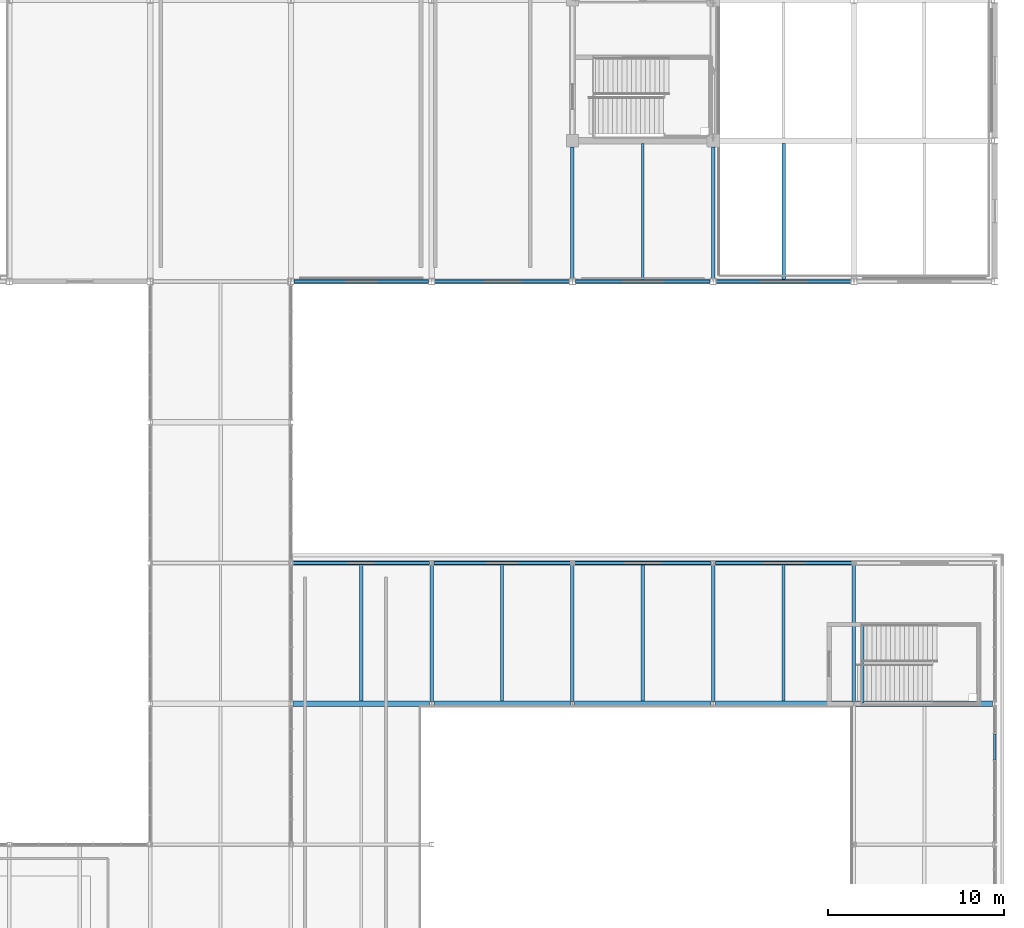
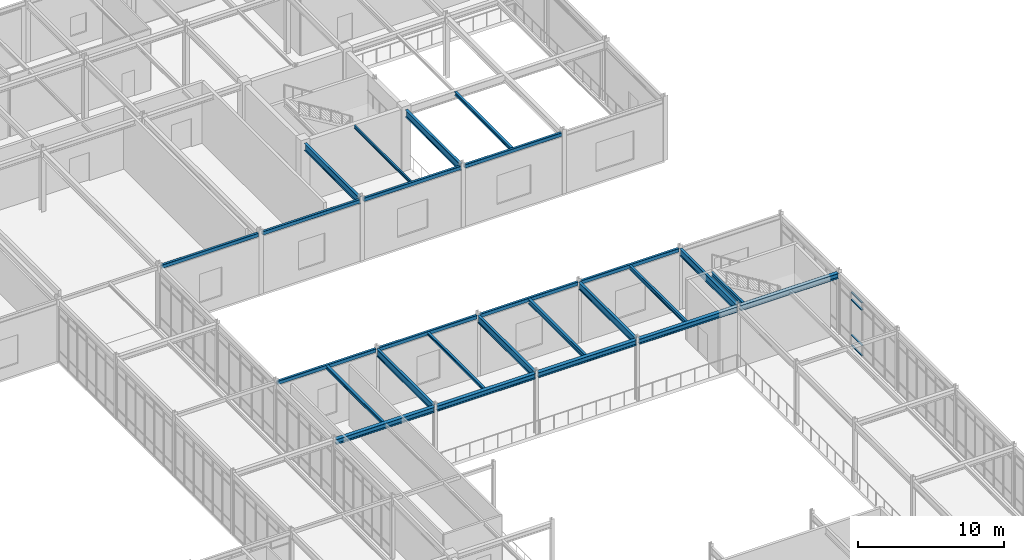
# One storey, part 78 of 184: 26 beams, 4 members, 1 element without a shape of its own.
"""IFC4 building model written with IfcOpenShell, lengths in metres."""

from ifc_helpers import new_model, si_unit, direction, frame, origin, origin_2d, place, context, subcontext, project, spatial, rectangle, hollow_rectangle, i_section, extrude, material, material_profile, profile_set, type_object, element, aggregate, save


model = new_model("IFC4")

# Units and contexts
model_context = context("Model", 3, precision=1e-05, world=origin(), true_north=direction((0.0, 1.0)))
body_context = subcontext(model_context, "Body", "Model", "MODEL_VIEW")
ifc_project = project(units=[si_unit("LENGTHUNIT", "METRE"), si_unit("AREAUNIT", "SQUARE_METRE"), si_unit("VOLUMEUNIT", "CUBIC_METRE"), si_unit("PLANEANGLEUNIT", "RADIAN"), si_unit("MASSUNIT", "GRAM", prefix="KILO")], contexts=[model_context])

# Site, building, storey
site_placement = place(None, origin())
site = spatial("IfcSite", under=ifc_project, at=site_placement, CompositionType="ELEMENT")
building_placement = place(site_placement, origin())
building = spatial("IfcBuilding", under=site, at=building_placement, Name="Zhaolan Boulevard Law Courts", CompositionType="ELEMENT")
storey_placement = place(building_placement, frame((0.0, 0.0, 5.39990234375)))
storey = spatial("IfcBuildingStorey", under=building, at=storey_placement, Name="L01", CompositionType="ELEMENT", Elevation=5.39990234375)

# Curtain wall, members
ifc_material_1 = material(Name="Thermally broken aluminium and low-E glazing", Category="aluminium")
curtain_wall_type = type_object("IfcCurtainWallType", Name="CURTAIN WALL M16", PredefinedType="USERDEFINED", material=ifc_material_1)
curtain_wall_placement = place(storey_placement, origin())
curtain_wall = element("IfcCurtainWall", 1, at=curtain_wall_placement, inside=storey, type_object=curtain_wall_type, Name="Curtain Wall CW-L01-064", ObjectType="CURTAIN WALL", PredefinedType="USERDEFINED")
ifc_material_2 = material(Name="Fluorocarbon-coated aluminium 6063-T6", Category="aluminium")
ifc_material_profile_1 = material_profile(ifc_material_2, rectangle(XDim=0.139892578125, YDim=0.06494140625, at=origin_2d()), Name="AL65x140")
ifc_profile_set_1 = profile_set([ifc_material_profile_1], Name="Fluorocarbon-coated aluminium 6063-T6")
member_type = type_object("IfcMemberType", Name="CWTRANSOM 65X140", PredefinedType="USERDEFINED", material=ifc_profile_set_1)
member_1_placement = place(storey_placement, frame((164.0, 34.80712890625, 0.03271484375), z_axis=(0.0, 1.0, 0.0), x_axis=(-1.0, 0.0, 0.0)))
member_1 = element("IfcMember", 2, at=member_1_placement, type_object=member_type, Name="CW-L01-064 transom 4.1", ObjectType="TRANSOM", PredefinedType="USERDEFINED", context=body_context, shape_type="SweptSolid", body=[
    extrude(rectangle(XDim=0.139892578125, YDim=0.06494140625, at=origin_2d()), origin(), (0.0, 0.0, 1.0), 1.484130859375),
])
member_2_placement = place(storey_placement, frame((164.0, 34.80712890625, 0.900146484375), z_axis=(0.0, 1.0, 0.0), x_axis=(-1.0, 0.0, 0.0)))
member_2 = element("IfcMember", 3, at=member_2_placement, type_object=member_type, Name="CW-L01-064 transom 4.2", ObjectType="TRANSOM", PredefinedType="USERDEFINED", context=body_context, shape_type="SweptSolid", body=[
    extrude(rectangle(XDim=0.139892578125, YDim=0.06494140625, at=origin_2d()), origin(), (0.0, 0.0, 1.0), 1.484130859375),
])
member_3_placement = place(storey_placement, frame((164.0, 34.80712890625, 3.85302734375), z_axis=(0.0, 1.0, 0.0), x_axis=(-1.0, 0.0, 0.0)))
member_3 = element("IfcMember", 4, at=member_3_placement, type_object=member_type, Name="CW-L01-064 transom 4.3", ObjectType="TRANSOM", PredefinedType="USERDEFINED", context=body_context, shape_type="SweptSolid", body=[
    extrude(rectangle(XDim=0.139892578125, YDim=0.06494140625, at=origin_2d()), origin(), (0.0, 0.0, 1.0), 1.484130859375),
])
member_4_placement = place(storey_placement, frame((164.0, 34.80712890625, 4.470703125), z_axis=(0.0, 1.0, 0.0), x_axis=(-1.0, 0.0, 0.0)))
member_4 = element("IfcMember", 5, at=member_4_placement, type_object=member_type, Name="CW-L01-064 transom 4.4", ObjectType="TRANSOM", PredefinedType="USERDEFINED", context=body_context, shape_type="SweptSolid", body=[
    extrude(rectangle(XDim=0.139892578125, YDim=0.06494140625, at=origin_2d()), origin(), (0.0, 0.0, 1.0), 1.484130859375),
])
aggregate(curtain_wall, [member_1, member_2, member_3, member_4])

# Beams
ifc_material_3 = material(Name="Structural steel Q355B", Category="steel")
ifc_material_profile_2 = material_profile(ifc_material_3, i_section(OverallWidth=0.300048828125, OverallDepth=0.43994140625, WebThickness=0.010986328125, FlangeThickness=0.01806640625, FilletRadius=0.02001953125, at=origin_2d()), Name="HM440x300")
ifc_profile_set_2 = profile_set([ifc_material_profile_2], Name="Structural steel Q355B")
beam_type_1 = type_object("IfcBeamType", Name="GIRDER HM440", PredefinedType="BEAM", material=ifc_profile_set_2)
for number, where, z_axis, x_axis, name in (
    (6, (124.12109375, 38.0, 4.898193359375), (1.0, 0.0, 0.0), (0.0, 1.0, 0.0), "Beam BX-L02-16-17-F"),
    (7, (132.12109375, 38.0, 4.898193359375), (1.0, 0.0, 0.0), (0.0, 1.0, 0.0), "Beam BX-L02-17-18-F"),
    (8, (140.12109375, 38.0, 4.898193359375), (1.0, 0.0, 0.0), (0.0, 1.0, 0.0), "Beam BX-L02-18-19-F"),
    (9, (148.12109375, 38.0, 4.898193359375), (1.0, 0.0, 0.0), (0.0, 1.0, 0.0), "Beam BX-L02-19-20-F"),
    (10, (156.12109375, 38.0, 4.898193359375), (1.0, 0.0, 0.0), (0.0, 1.0, 0.0), "Beam BX-L02-20-21-F"),
):
    element("IfcBeam", number, at=place(storey_placement, frame(where, z_axis=z_axis, x_axis=x_axis)), inside=storey, type_object=beam_type_1, Name=name, PredefinedType="BEAM", context=body_context, shape_type="SweptSolid", body=[
        extrude(i_section(OverallWidth=0.300048828125, OverallDepth=0.43994140625, WebThickness=0.010986328125, FlangeThickness=0.01806640625, FilletRadius=0.02001953125, at=origin_2d()), origin(), (0.0, 0.0, 1.0), 7.7578125),
    ])
ifc_material_4 = material(Name="Structural steel Q355B", Category="steel")
ifc_material_profile_3 = material_profile(ifc_material_4, i_section(OverallWidth=0.199951171875, OverallDepth=0.60009765625, WebThickness=0.010986328125, FlangeThickness=0.01708984375, FilletRadius=0.02001953125, at=origin_2d()), Name="HN600x200")
ifc_profile_set_3 = profile_set([ifc_material_profile_3], Name="Structural steel Q355B")
beam_type_2 = type_object("IfcBeamType", Name="GIRDER HN600", PredefinedType="BEAM", material=ifc_profile_set_3)
for number, where, z_axis, x_axis, name in (
    (11, (132.0, 38.12109375, 4.818115234375), (0.0, 1.0, 0.0), (-1.0, 0.0, 0.0), "Beam BY-L02-17-F-G"),
    (12, (140.0, 38.12109375, 4.818115234375), (0.0, 1.0, 0.0), (-1.0, 0.0, 0.0), "Beam BY-L02-18-F-G"),
):
    element("IfcBeam", number, at=place(storey_placement, frame(where, z_axis=z_axis, x_axis=x_axis)), inside=storey, type_object=beam_type_2, Name=name, PredefinedType="BEAM", context=body_context, shape_type="SweptSolid", body=[
        extrude(i_section(OverallWidth=0.199951171875, OverallDepth=0.60009765625, WebThickness=0.010986328125, FlangeThickness=0.01708984375, FilletRadius=0.02001953125, at=origin_2d()), origin(), (0.0, 0.0, 1.0), 7.7578125),
    ])
beam_1_placement = place(storey_placement, frame((140.0, 62.1708984375, 4.818115234375), z_axis=(0.0, 1.0, 0.0), x_axis=(-1.0, 0.0, 0.0)))
element("IfcBeam", 13, at=beam_1_placement, inside=storey, type_object=beam_type_2, Name="Beam BY-L02-18-J-K", PredefinedType="BEAM", context=body_context, shape_type="SweptSolid", body=[
    extrude(i_section(OverallWidth=0.199951171875, OverallDepth=0.60009765625, WebThickness=0.010986328125, FlangeThickness=0.01708984375, FilletRadius=0.02001953125, at=origin_2d()), origin(), (0.0, 0.0, 1.0), 7.483154296875),
])
beam_2_placement = place(storey_placement, frame((148.0, 38.12109375, 4.818115234375), z_axis=(0.0, 1.0, 0.0), x_axis=(-1.0, 0.0, 0.0)))
element("IfcBeam", 14, at=beam_2_placement, inside=storey, type_object=beam_type_2, Name="Beam BY-L02-19-F-G", PredefinedType="BEAM", context=body_context, shape_type="SweptSolid", body=[
    extrude(i_section(OverallWidth=0.199951171875, OverallDepth=0.60009765625, WebThickness=0.010986328125, FlangeThickness=0.01708984375, FilletRadius=0.02001953125, at=origin_2d()), origin(), (0.0, 0.0, 1.0), 7.7578125),
])
beam_3_placement = place(storey_placement, frame((148.0, 62.1708984375, 4.818115234375), z_axis=(0.0, 1.0, 0.0), x_axis=(-1.0, 0.0, 0.0)))
element("IfcBeam", 15, at=beam_3_placement, inside=storey, type_object=beam_type_2, Name="Beam BY-L02-19-J-K", PredefinedType="BEAM", context=body_context, shape_type="SweptSolid", body=[
    extrude(i_section(OverallWidth=0.199951171875, OverallDepth=0.60009765625, WebThickness=0.010986328125, FlangeThickness=0.01708984375, FilletRadius=0.02001953125, at=origin_2d()), origin(), (0.0, 0.0, 1.0), 7.483154296875),
])
beam_4_placement = place(storey_placement, frame((156.0, 38.12109375, 4.818115234375), z_axis=(0.0, 1.0, 0.0), x_axis=(-1.0, 0.0, 0.0)))
element("IfcBeam", 16, at=beam_4_placement, inside=storey, type_object=beam_type_2, Name="Beam BY-L02-20-F-G", PredefinedType="BEAM", context=body_context, shape_type="SweptSolid", body=[
    extrude(i_section(OverallWidth=0.199951171875, OverallDepth=0.60009765625, WebThickness=0.010986328125, FlangeThickness=0.01708984375, FilletRadius=0.02001953125, at=origin_2d()), origin(), (0.0, 0.0, 1.0), 7.7578125),
])
ifc_material_5 = material(Name="Structural steel Q355B", Category="steel")
ifc_material_profile_4 = material_profile(ifc_material_5, i_section(OverallWidth=0.175048828125, OverallDepth=0.243896484375, WebThickness=0.007080078125, FlangeThickness=0.010986328125, FilletRadius=0.012939453125, at=origin_2d()), Name="HM244x175")
ifc_profile_set_4 = profile_set([ifc_material_profile_4], Name="Structural steel Q355B")
beam_type_3 = type_object("IfcBeamType", Name="JOIST HM244", PredefinedType="JOIST", material=ifc_profile_set_4)
beam_5_placement = place(storey_placement, frame((136.0, 38.14599609375, 4.99609375), z_axis=(0.0, 1.0, 0.0), x_axis=(-1.0, 0.0, 0.0)))
element("IfcBeam", 17, at=beam_5_placement, inside=storey, type_object=beam_type_3, Name="Composite Joist J-L02-17F", PredefinedType="JOIST", context=body_context, shape_type="SweptSolid", body=[
    extrude(i_section(OverallWidth=0.175048828125, OverallDepth=0.243896484375, WebThickness=0.007080078125, FlangeThickness=0.010986328125, FilletRadius=0.012939453125, at=origin_2d()), origin(), (0.0, 0.0, 1.0), 7.758056640625),
])
ifc_material_6 = material(Name="Structural steel Q355B", Category="steel")
ifc_material_profile_5 = material_profile(ifc_material_6, i_section(OverallWidth=0.199951171875, OverallDepth=0.2939453125, WebThickness=0.008056640625, FlangeThickness=0.011962890625, FilletRadius=0.01611328125, at=origin_2d()), Name="HM294x200")
ifc_profile_set_5 = profile_set([ifc_material_profile_5], Name="Structural steel Q355B")
beam_type_4 = type_object("IfcBeamType", Name="JOIST HM294", PredefinedType="JOIST", material=ifc_profile_set_5)
for number, where, z_axis, x_axis, name in (
    (18, (128.0, 38.14599609375, 4.97119140625), (0.0, 1.0, 0.0), (-1.0, 0.0, 0.0), "Composite Joist J-L02-16F"),
    (19, (152.0, 62.095947265625, 4.97119140625), (0.0, 1.0, 0.0), (-1.0, 0.0, 0.0), "Composite Joist J-L02-19J"),
):
    element("IfcBeam", number, at=place(storey_placement, frame(where, z_axis=z_axis, x_axis=x_axis)), inside=storey, type_object=beam_type_4, Name=name, PredefinedType="JOIST", context=body_context, shape_type="SweptSolid", body=[
        extrude(i_section(OverallWidth=0.199951171875, OverallDepth=0.2939453125, WebThickness=0.008056640625, FlangeThickness=0.011962890625, FilletRadius=0.01611328125, at=origin_2d()), origin(), (0.0, 0.0, 1.0), 7.758056640625),
    ])
ifc_material_7 = material(Name="Structural steel Q355B", Category="steel")
ifc_material_profile_6 = material_profile(ifc_material_7, i_section(OverallWidth=0.125, OverallDepth=0.25, WebThickness=0.006103515625, FlangeThickness=0.009033203125, FilletRadius=0.010009765625, at=origin_2d()), Name="HN250x125")
ifc_profile_set_6 = profile_set([ifc_material_profile_6], Name="Structural steel Q355B")
beam_type_5 = type_object("IfcBeamType", Name="JOIST HN250", PredefinedType="JOIST", material=ifc_profile_set_6)
beam_6_placement = place(storey_placement, frame((144.0, 62.095947265625, 4.9931640625), z_axis=(0.0, 1.0, 0.0), x_axis=(-1.0, 0.0, 0.0)))
element("IfcBeam", 20, at=beam_6_placement, inside=storey, type_object=beam_type_5, Name="Composite Joist J-L02-18J", PredefinedType="JOIST", context=body_context, shape_type="SweptSolid", body=[
    extrude(i_section(OverallWidth=0.125, OverallDepth=0.25, WebThickness=0.006103515625, FlangeThickness=0.009033203125, FilletRadius=0.010009765625, at=origin_2d()), origin(), (0.0, 0.0, 1.0), 7.758056640625),
])
ifc_material_8 = material(Name="Structural steel Q355B", Category="steel")
ifc_material_profile_7 = material_profile(ifc_material_8, i_section(OverallWidth=0.175048828125, OverallDepth=0.35009765625, WebThickness=0.007080078125, FlangeThickness=0.010986328125, FilletRadius=0.012939453125, at=origin_2d()), Name="HN350x175")
ifc_profile_set_7 = profile_set([ifc_material_profile_7], Name="Structural steel Q355B")
beam_type_6 = type_object("IfcBeamType", Name="JOIST HN350", PredefinedType="JOIST", material=ifc_profile_set_7)
beam_7_placement = place(storey_placement, frame((152.0, 38.14599609375, 4.943115234375), z_axis=(0.0, 1.0, 0.0), x_axis=(-1.0, 0.0, 0.0)))
element("IfcBeam", 21, at=beam_7_placement, inside=storey, type_object=beam_type_6, Name="Composite Joist J-L02-19F", PredefinedType="JOIST", context=body_context, shape_type="SweptSolid", body=[
    extrude(i_section(OverallWidth=0.175048828125, OverallDepth=0.35009765625, WebThickness=0.007080078125, FlangeThickness=0.010986328125, FilletRadius=0.012939453125, at=origin_2d()), origin(), (0.0, 0.0, 1.0), 7.758056640625),
])
ifc_material_9 = material(Name="Structural steel Q355B", Category="steel")
ifc_material_profile_8 = material_profile(ifc_material_9, i_section(OverallWidth=0.199951171875, OverallDepth=0.39990234375, WebThickness=0.008056640625, FlangeThickness=0.012939453125, FilletRadius=0.013916015625, at=origin_2d()), Name="HN400x200")
ifc_profile_set_8 = profile_set([ifc_material_profile_8], Name="Structural steel Q355B")
beam_type_7 = type_object("IfcBeamType", Name="JOIST HN400", PredefinedType="JOIST", material=ifc_profile_set_8)
beam_8_placement = place(storey_placement, frame((144.0, 38.14599609375, 4.918212890625), z_axis=(0.0, 1.0, 0.0), x_axis=(-1.0, 0.0, 0.0)))
element("IfcBeam", 22, at=beam_8_placement, inside=storey, type_object=beam_type_7, Name="Composite Joist J-L02-18F", PredefinedType="JOIST", context=body_context, shape_type="SweptSolid", body=[
    extrude(i_section(OverallWidth=0.199951171875, OverallDepth=0.39990234375, WebThickness=0.008056640625, FlangeThickness=0.012939453125, FilletRadius=0.013916015625, at=origin_2d()), origin(), (0.0, 0.0, 1.0), 7.758056640625),
])
ifc_material_10 = material(Name="Structural steel Q355B", Category="steel")
ifc_material_profile_9 = material_profile(ifc_material_10, hollow_rectangle(XDim=0.199951171875, YDim=0.300048828125, WallThickness=0.011962890625, InnerFilletRadius=0.011962890625, OuterFilletRadius=0.02392578125, at=origin_2d()), Name="HSS300x200x12")
ifc_profile_set_9 = profile_set([ifc_material_profile_9], Name="Structural steel Q355B")
beam_type_8 = type_object("IfcBeamType", Name="SPANDREL HSS300", PredefinedType="SPANDREL", material=ifc_profile_set_9)
for number, where, z_axis, x_axis, name in (
    (23, (124.12109375, 46.0, 4.968017578125), (1.0, 0.0, 0.0), (0.0, 1.0, 0.0), "Beam BX-L02-16-17-G"),
    (24, (132.12109375, 46.0, 4.968017578125), (1.0, 0.0, 0.0), (0.0, 1.0, 0.0), "Beam BX-L02-17-18-G"),
    (25, (140.12109375, 46.0, 4.968017578125), (1.0, 0.0, 0.0), (0.0, 1.0, 0.0), "Beam BX-L02-18-19-G"),
    (26, (148.12109375, 46.0, 4.968017578125), (1.0, 0.0, 0.0), (0.0, 1.0, 0.0), "Beam BX-L02-19-20-G"),
):
    element("IfcBeam", number, at=place(storey_placement, frame(where, z_axis=z_axis, x_axis=x_axis)), inside=storey, type_object=beam_type_8, Name=name, PredefinedType="SPANDREL", context=body_context, shape_type="SweptSolid", body=[
        extrude(hollow_rectangle(XDim=0.199951171875, YDim=0.300048828125, WallThickness=0.011962890625, InnerFilletRadius=0.011962890625, OuterFilletRadius=0.02392578125, at=origin_2d()), origin(), (0.0, 0.0, 1.0), 7.7578125),
    ])
for number, where, z_axis, x_axis, name in (
    (27, (124.1708984375, 62.0, 4.968017578125), (1.0, 0.0, 0.0), (0.0, 1.0, 0.0), "Beam BX-L02-16-17-J"),
    (28, (132.1708984375, 62.0, 4.968017578125), (1.0, 0.0, 0.0), (0.0, 1.0, 0.0), "Beam BX-L02-17-18-J"),
    (29, (140.1708984375, 62.0, 4.968017578125), (1.0, 0.0, 0.0), (0.0, 1.0, 0.0), "Beam BX-L02-18-19-J"),
    (30, (148.1708984375, 62.0, 4.968017578125), (1.0, 0.0, 0.0), (0.0, 1.0, 0.0), "Beam BX-L02-19-20-J"),
):
    element("IfcBeam", number, at=place(storey_placement, frame(where, z_axis=z_axis, x_axis=x_axis)), inside=storey, type_object=beam_type_8, Name=name, PredefinedType="SPANDREL", context=body_context, shape_type="SweptSolid", body=[
        extrude(hollow_rectangle(XDim=0.199951171875, YDim=0.300048828125, WallThickness=0.011962890625, InnerFilletRadius=0.011962890625, OuterFilletRadius=0.02392578125, at=origin_2d()), origin(), (0.0, 0.0, 1.0), 7.658203125),
    ])
ifc_material_11 = material(Name="Structural steel Q355B", Category="steel")
ifc_material_profile_10 = material_profile(ifc_material_11, i_section(OverallWidth=0.175048828125, OverallDepth=0.35009765625, WebThickness=0.007080078125, FlangeThickness=0.010986328125, FilletRadius=0.012939453125, at=origin_2d()), Name="HN350x175")
ifc_profile_set_10 = profile_set([ifc_material_profile_10], Name="Structural steel Q355B")
beam_type_9 = type_object("IfcBeamType", Name="STAIR TRIMMER HN350", PredefinedType="BEAM", material=ifc_profile_set_10)
beam_9_placement = place(storey_placement, frame((156.485107421875, 38.050048828125, 4.93505859375), z_axis=(0.0, 1.0, 0.0), x_axis=(-1.0, 0.0, 0.0)))
element("IfcBeam", 31, at=beam_9_placement, inside=storey, type_object=beam_type_9, Name="Stair Landing Trimmer Beam STB-ST07-L02", PredefinedType="BEAM", context=body_context, shape_type="SweptSolid", body=[
    extrude(i_section(OverallWidth=0.175048828125, OverallDepth=0.35009765625, WebThickness=0.007080078125, FlangeThickness=0.010986328125, FilletRadius=0.012939453125, at=origin_2d()), origin(), (0.0, 0.0, 1.0), 4.39990234375),
])

save(model, "model.ifc")
